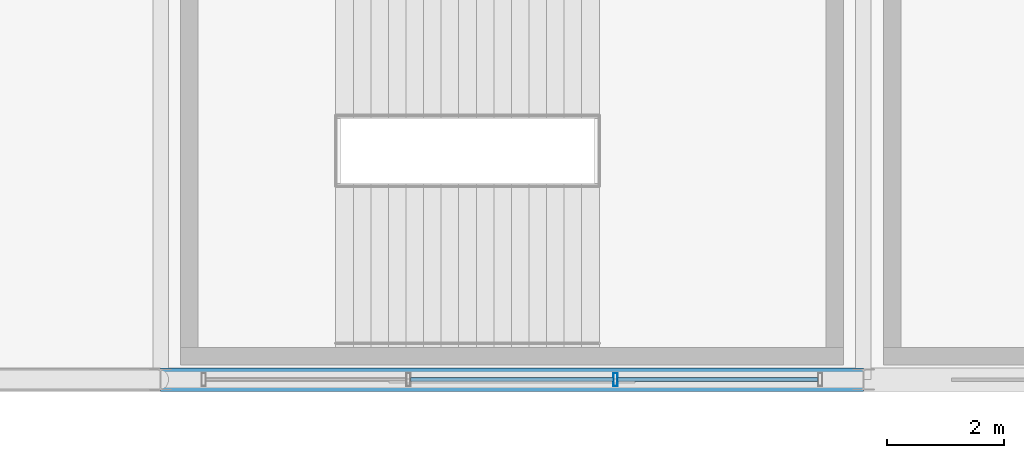
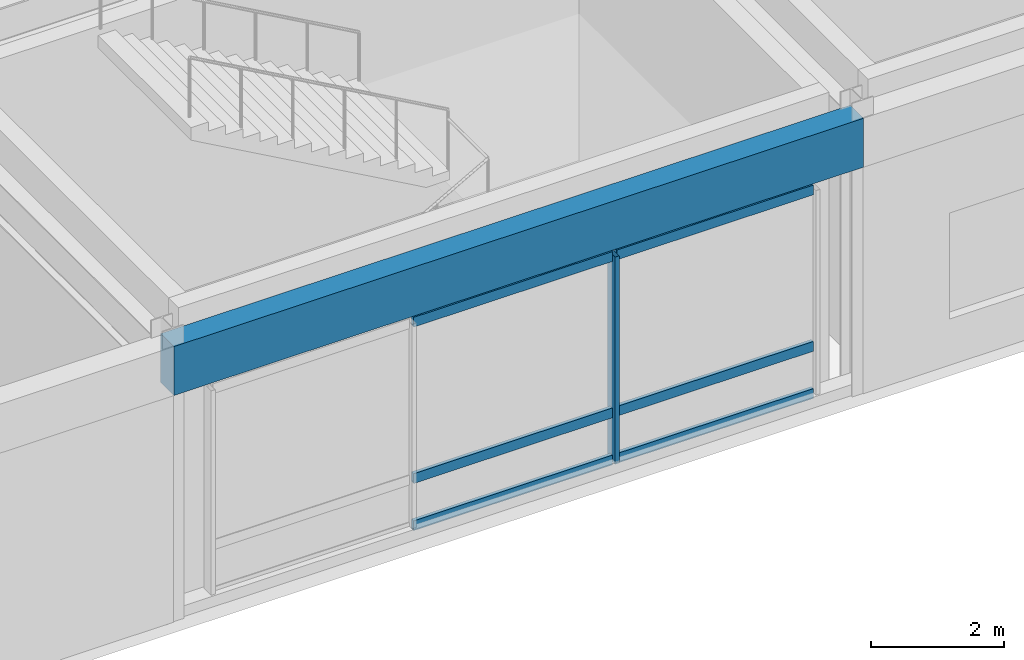
# One storey, part 30 of 100: 7 members, 1 beam, 1 element without a shape of its own.
"""IFC4 building model written with IfcOpenShell, lengths in metres."""

from ifc_helpers import new_model, si_unit, direction, frame, origin, origin_2d, place, context, subcontext, project, spatial, rectangle, hollow_rectangle, extrude, material, material_profile, profile_set, type_object, element, aggregate, save


model = new_model("IFC4")

# Units and contexts
model_context = context("Model", 3, precision=1e-05, world=origin(), true_north=direction((0.0, 1.0)))
body_context = subcontext(model_context, "Body", "Model", "MODEL_VIEW")
ifc_project = project(units=[si_unit("LENGTHUNIT", "METRE"), si_unit("AREAUNIT", "SQUARE_METRE"), si_unit("VOLUMEUNIT", "CUBIC_METRE"), si_unit("PLANEANGLEUNIT", "RADIAN"), si_unit("MASSUNIT", "GRAM", prefix="KILO")], contexts=[model_context])

# Site, building, storey
site_placement = place(None, origin())
site = spatial("IfcSite", under=ifc_project, at=site_placement, CompositionType="ELEMENT")
building_placement = place(site_placement, origin())
building = spatial("IfcBuilding", under=site, at=building_placement, Name="Kaldorvane Square Convention Centre", CompositionType="ELEMENT")
storey_placement = place(building_placement, frame((0.0, 0.0, 18.0)))
storey = spatial("IfcBuildingStorey", under=building, at=storey_placement, Name="L03", CompositionType="ELEMENT", Elevation=18.0)

# Beam
ifc_material_1 = material(Name="Concrete f'c = 42 MPa (Normalweight)", Category="concrete")
ifc_material_profile_1 = material_profile(ifc_material_1, rectangle(XDim=0.399993896484375, YDim=0.899993896484375, at=origin_2d()), Name="RCSP900X400")
ifc_profile_set_1 = profile_set([ifc_material_profile_1], Name="Concrete f'c = 42 MPa (Normalweight)")
beam_type = type_object("IfcBeamType", Name="BM-SP-RC900", PredefinedType="SPANDREL", material=ifc_profile_set_1)
beam_placement = place(storey_placement, frame((102.0, 0.0, 4.626007080078125), z_axis=(1.0, 0.0, 0.0), x_axis=(0.0, 1.0, 0.0)))
element("IfcBeam", 1, at=beam_placement, inside=storey, type_object=beam_type, Name="Perimeter Spandrel (L03)", PredefinedType="SPANDREL", context=body_context, shape_type="SweptSolid", body=[
    extrude(rectangle(XDim=0.399993896484375, YDim=0.899993896484375, at=origin_2d()), origin(), (0.0, 0.0, 1.0), 12.0),
])

# Curtain wall, members
ifc_material_2 = material(Name="Anodized Aluminum and Low-E Insulated Glazing", Category="aluminium")
curtain_wall_type = type_object("IfcCurtainWallType", Name="CW-UNI-P54-12", PredefinedType="USERDEFINED", material=ifc_material_2)
curtain_wall_placement = place(storey_placement, origin())
curtain_wall = element("IfcCurtainWall", 2, at=curtain_wall_placement, inside=storey, type_object=curtain_wall_type, Name="Curtain Wall CW-03 (L03)", ObjectType="UNITISED GLAZING", PredefinedType="USERDEFINED")
ifc_material_profile_2 = material_profile(ifc_material_2, hollow_rectangle(XDim=0.0749969482421875, YDim=0.220001220703125, WallThickness=0.003997802734375, at=origin_2d()), Name="CWM-220X75")
ifc_profile_set_2 = profile_set([ifc_material_profile_2], Name="Anodized Aluminum and Low-E Insulated Glazing")
member_type_1 = type_object("IfcMemberType", Name="CW-MUL-220", PredefinedType="MULLION", material=ifc_profile_set_2)
member_1_placement = place(storey_placement, frame((109.76666259765625, 0.0, 0.149993896484375), z_axis=(0.0, 0.0, 1.0), x_axis=(1.0, 0.0, 0.0)))
member_1 = element("IfcMember", 3, at=member_1_placement, type_object=member_type_1, Name="CW-03 mullion 3", PredefinedType="MULLION", context=body_context, shape_type="SweptSolid", body=[
    extrude(hollow_rectangle(XDim=0.0749969482421875, YDim=0.220001220703125, WallThickness=0.003997802734375, at=origin_2d()), origin(), (0.0, 0.0, 1.0), 3.8100128173828125),
])
ifc_material_profile_3 = material_profile(ifc_material_2, hollow_rectangle(XDim=0.06500244140625, YDim=0.17999267578125, WallThickness=0.0034942626953125, at=origin_2d()), Name="CWT-180X65")
ifc_profile_set_3 = profile_set([ifc_material_profile_3], Name="Anodized Aluminum and Low-E Insulated Glazing")
member_type_2 = type_object("IfcMemberType", Name="CW-TRN-180", PredefinedType="USERDEFINED", material=ifc_profile_set_3)
member_2_placement = place(storey_placement, frame((106.27082824707031, 0.0, 0.1824951171875), z_axis=(1.0, 0.0, 0.0), x_axis=(0.0, 1.0, 0.0)))
member_2 = element("IfcMember", 4, at=member_2_placement, type_object=member_type_2, Name="CW-03 transom 2.1", ObjectType="TRANSOM", PredefinedType="USERDEFINED", context=body_context, shape_type="SweptSolid", body=[
    extrude(hollow_rectangle(XDim=0.06500244140625, YDim=0.17999267578125, WallThickness=0.0034942626953125, at=origin_2d()), origin(), (0.0, 0.0, 1.0), 3.458343505859375),
])
member_3_placement = place(storey_placement, frame((106.27082824707031, 0.0, 1.0500030517578125), z_axis=(1.0, 0.0, 0.0), x_axis=(0.0, 1.0, 0.0)))
member_3 = element("IfcMember", 5, at=member_3_placement, type_object=member_type_2, Name="CW-03 transom 2.2", ObjectType="TRANSOM", PredefinedType="USERDEFINED", context=body_context, shape_type="SweptSolid", body=[
    extrude(hollow_rectangle(XDim=0.06500244140625, YDim=0.17999267578125, WallThickness=0.0034942626953125, at=origin_2d()), origin(), (0.0, 0.0, 1.0), 3.458343505859375),
])
member_4_placement = place(storey_placement, frame((106.27082824707031, 0.0, 3.9275054931640625), z_axis=(1.0, 0.0, 0.0), x_axis=(0.0, 1.0, 0.0)))
member_4 = element("IfcMember", 6, at=member_4_placement, type_object=member_type_2, Name="CW-03 transom 2.3", ObjectType="TRANSOM", PredefinedType="USERDEFINED", context=body_context, shape_type="SweptSolid", body=[
    extrude(hollow_rectangle(XDim=0.06500244140625, YDim=0.17999267578125, WallThickness=0.0034942626953125, at=origin_2d()), origin(), (0.0, 0.0, 1.0), 3.458343505859375),
])
member_5_placement = place(storey_placement, frame((109.80416870117188, 0.0, 0.1824951171875), z_axis=(1.0, 0.0, 0.0), x_axis=(0.0, 1.0, 0.0)))
member_5 = element("IfcMember", 7, at=member_5_placement, type_object=member_type_2, Name="CW-03 transom 3.1", ObjectType="TRANSOM", PredefinedType="USERDEFINED", context=body_context, shape_type="SweptSolid", body=[
    extrude(hollow_rectangle(XDim=0.06500244140625, YDim=0.17999267578125, WallThickness=0.0034942626953125, at=origin_2d()), origin(), (0.0, 0.0, 1.0), 3.42083740234375),
])
member_6_placement = place(storey_placement, frame((109.80416870117188, 0.0, 1.0500030517578125), z_axis=(1.0, 0.0, 0.0), x_axis=(0.0, 1.0, 0.0)))
member_6 = element("IfcMember", 8, at=member_6_placement, type_object=member_type_2, Name="CW-03 transom 3.2", ObjectType="TRANSOM", PredefinedType="USERDEFINED", context=body_context, shape_type="SweptSolid", body=[
    extrude(hollow_rectangle(XDim=0.06500244140625, YDim=0.17999267578125, WallThickness=0.0034942626953125, at=origin_2d()), origin(), (0.0, 0.0, 1.0), 3.42083740234375),
])
member_7_placement = place(storey_placement, frame((109.80416870117188, 0.0, 3.9275054931640625), z_axis=(1.0, 0.0, 0.0), x_axis=(0.0, 1.0, 0.0)))
member_7 = element("IfcMember", 9, at=member_7_placement, type_object=member_type_2, Name="CW-03 transom 3.3", ObjectType="TRANSOM", PredefinedType="USERDEFINED", context=body_context, shape_type="SweptSolid", body=[
    extrude(hollow_rectangle(XDim=0.06500244140625, YDim=0.17999267578125, WallThickness=0.0034942626953125, at=origin_2d()), origin(), (0.0, 0.0, 1.0), 3.42083740234375),
])
aggregate(curtain_wall, [member_1, member_2, member_3, member_4, member_5, member_6, member_7])

save(model, "model.ifc")
